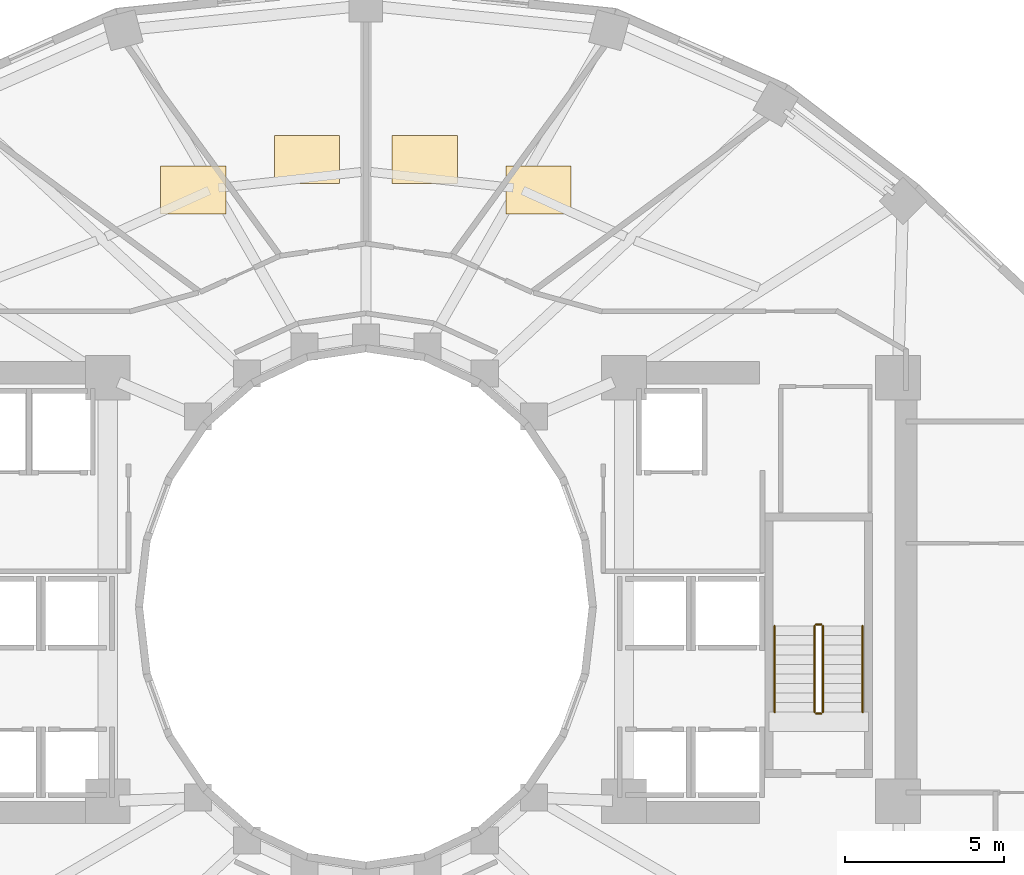
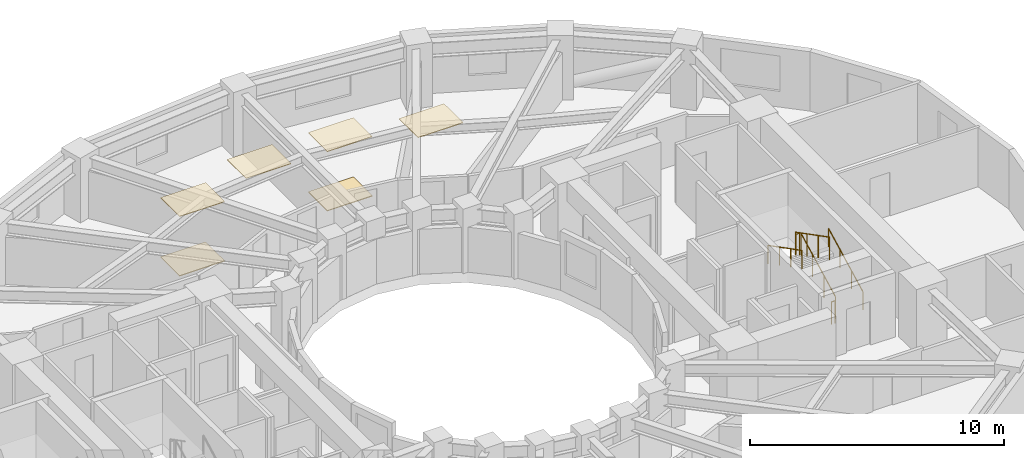
# One storey, part 9 of 9: 6 coverings, 6 railings.
"""IFC4 building model written with IfcOpenShell, lengths in metres."""

from ifc_helpers import new_model, si_unit, direction, frame, origin, origin_2d, place, context, subcontext, project, spatial, polyline, circle, outline, extrude, material, layer, layer_set, type_object, element, save


model = new_model("IFC4")

# Units and contexts
model_context = context("Model", 3, precision=1e-05, world=origin(), true_north=direction((0.0, 1.0)))
body_context = subcontext(model_context, "Body", "Model", "MODEL_VIEW")
ifc_project = project(units=[si_unit("LENGTHUNIT", "METRE"), si_unit("AREAUNIT", "SQUARE_METRE"), si_unit("VOLUMEUNIT", "CUBIC_METRE"), si_unit("PLANEANGLEUNIT", "RADIAN"), si_unit("MASSUNIT", "GRAM", prefix="KILO")], contexts=[model_context])

# Site, building, storey
site_placement = place(None, origin())
site = spatial("IfcSite", under=ifc_project, at=site_placement, CompositionType="ELEMENT")
building_placement = place(site_placement, origin())
building = spatial("IfcBuilding", under=site, at=building_placement, Name="Solvane Sanctuary Tower", CompositionType="ELEMENT")
storey_placement = place(building_placement, frame((0.0, 0.0, 104.199951171875)))
storey = spatial("IfcBuildingStorey", under=building, at=storey_placement, Name="L31", CompositionType="ELEMENT", Elevation=104.199951171875)

# Coverings
ifc_material_1 = material(Name="Acoustic Gypsum Partition Board")
ifc_layer_1 = layer(ifc_material_1, 0.02490234375, Name="Acoustic Gypsum Partition Board")
ifc_layer_set_1 = layer_set([ifc_layer_1], Name="Acoustic Gypsum Partition Board")
covering_type_1 = type_object("IfcCoveringType", Name="Covering CLG-ACOUST", PredefinedType="CEILING", material=ifc_layer_set_1)
covering_1_placement = place(storey_placement, frame((0.0, 0.0, 2.85009765625)))
element("IfcCovering", 1, at=covering_1_placement, inside=storey, type_object=covering_type_1, Name="L31 Unit Acoustic Ceiling Panel 1", PredefinedType="CEILING", context=body_context, shape_type="SweptSolid", body=[
    extrude(outline(polyline([(36.39404296875, 35.33203125), (38.444091796875, 35.33203125), (38.444091796875, 36.83203125), (36.39404296875, 36.83203125), (36.39404296875, 35.33203125)])), origin(), (0.0, 0.0, 1.0), 0.030029296875),
])
covering_2_placement = place(storey_placement, frame((0.0, 0.0, 2.85009765625)))
element("IfcCovering", 2, at=covering_2_placement, inside=storey, type_object=covering_type_1, Name="L31 Unit Acoustic Ceiling Panel 2", PredefinedType="CEILING", context=body_context, shape_type="SweptSolid", body=[
    extrude(outline(polyline([(32.822998046875, 36.2890625), (34.873046875, 36.2890625), (34.873046875, 37.7890625), (32.822998046875, 37.7890625), (32.822998046875, 36.2890625)])), origin(), (0.0, 0.0, 1.0), 0.030029296875),
])
covering_3_placement = place(storey_placement, frame((0.0, 0.0, 2.85009765625)))
element("IfcCovering", 3, at=covering_3_placement, inside=storey, type_object=covering_type_1, Name="L31 Unit Acoustic Ceiling Panel 3", PredefinedType="CEILING", context=body_context, shape_type="SweptSolid", body=[
    extrude(outline(polyline([(29.126953125, 36.2890625), (31.177001953125, 36.2890625), (31.177001953125, 37.7890625), (29.126953125, 37.7890625), (29.126953125, 36.2890625)])), origin(), (0.0, 0.0, 1.0), 0.030029296875),
])
covering_4_placement = place(storey_placement, frame((0.0, 0.0, 2.85009765625)))
element("IfcCovering", 4, at=covering_4_placement, inside=storey, type_object=covering_type_1, Name="L31 Unit Acoustic Ceiling Panel 4", PredefinedType="CEILING", context=body_context, shape_type="SweptSolid", body=[
    extrude(outline(polyline([(25.555908203125, 35.33203125), (27.60595703125, 35.33203125), (27.60595703125, 36.83203125), (25.555908203125, 36.83203125), (25.555908203125, 35.33203125)])), origin(), (0.0, 0.0, 1.0), 0.030029296875),
])
ifc_material_2 = material(Name="Ceramic Tile Finish")
ifc_layer_2 = layer(ifc_material_2, 0.030029296875, Name="Ceramic Tile Finish")
ifc_layer_set_2 = layer_set([ifc_layer_2], Name="Ceramic Tile Finish")
covering_type_2 = type_object("IfcCoveringType", Name="Covering FLR-TERRAZZO", PredefinedType="FLOORING", material=ifc_layer_set_2)
covering_5_placement = place(storey_placement, origin())
element("IfcCovering", 5, at=covering_5_placement, inside=storey, type_object=covering_type_2, Name="L31 Unit Terrazzo Inlay 2", PredefinedType="FLOORING", context=body_context, shape_type="SweptSolid", body=[
    extrude(outline(polyline([(32.822998046875, 36.2890625), (34.873046875, 36.2890625), (34.873046875, 37.7890625), (32.822998046875, 37.7890625), (32.822998046875, 36.2890625)])), origin(), (0.0, 0.0, 1.0), 0.03515625),
])
covering_6_placement = place(storey_placement, origin())
element("IfcCovering", 6, at=covering_6_placement, inside=storey, type_object=covering_type_2, Name="L31 Unit Terrazzo Inlay 4", PredefinedType="FLOORING", context=body_context, shape_type="SweptSolid", body=[
    extrude(outline(polyline([(25.555908203125, 35.33203125), (27.60595703125, 35.33203125), (27.60595703125, 36.83203125), (25.555908203125, 36.83203125), (25.555908203125, 35.33203125)])), origin(), (0.0, 0.0, 1.0), 0.03515625),
])

# Railings
ifc_material_3 = material(Name="Architectural Stainless Steel 316", Category="steel")
railing_type_1 = type_object("IfcRailingType", Name="Railing GR-BALC-1150", PredefinedType="BALUSTRADE", material=ifc_material_3)
railing_1_placement = place(storey_placement, frame((46.340087890625, 19.699951171875, 0.155029296875)))
element("IfcRailing", 7, at=railing_1_placement, inside=storey, type_object=railing_type_1, Name="L31 ST-2 stair guard 1", PredefinedType="BALUSTRADE", context=body_context, shape_type="SweptSolid", body=[
    extrude(circle(Radius=0.02392578125, at=origin_2d()), frame((0.0, 0.0, 1.076171875), z_axis=(0.0, 0.888419900624, 0.459031676658), x_axis=(-1.0, 0.0, 0.0)), (0.0, 0.0, 1.0), 3.0390625),
    extrude(circle(Radius=0.02099609375, at=origin_2d()), origin(), (0.0, 0.0, 1.0), 1.052001953125),
    extrude(circle(Radius=0.02099609375, at=origin_2d()), frame((0.0, 0.89990234375, 0.465087890625)), (0.0, 0.0, 1.0), 1.052001953125),
    extrude(circle(Radius=0.02099609375, at=origin_2d()), frame((0.0, 1.800048828125, 0.929931640625)), (0.0, 0.0, 1.0), 1.052001953125),
    extrude(circle(Radius=0.02099609375, at=origin_2d()), frame((0.0, 2.699951171875, 1.39501953125)), (0.0, 0.0, 1.0), 1.052001953125),
])
railing_2_placement = place(storey_placement, frame((46.2900390625, 22.449951171875, 1.550048828125)))
element("IfcRailing", 8, at=railing_2_placement, inside=storey, type_object=railing_type_1, Name="L31 ST-2 stair guard 2", PredefinedType="BALUSTRADE", context=body_context, shape_type="SweptSolid", body=[
    extrude(circle(Radius=0.02392578125, at=origin_2d()), frame((0.0, 0.0, 1.076171875), z_axis=(-1.0, 0.0, 0.0), x_axis=(0.0, -1.0, 0.0)), (0.0, 0.0, 1.0), 0.16015625),
    extrude(circle(Radius=0.02099609375, at=origin_2d()), origin(), (0.0, 0.0, 1.0), 1.052001953125),
    extrude(circle(Radius=0.02099609375, at=origin_2d()), frame((-0.16015625, 0.0, 0.0)), (0.0, 0.0, 1.0), 1.052001953125),
])
railing_3_placement = place(storey_placement, frame((46.080078125, 22.39990234375, 1.705078125)))
element("IfcRailing", 9, at=railing_3_placement, inside=storey, type_object=railing_type_1, Name="L31 ST-2 stair guard 3", PredefinedType="BALUSTRADE", context=body_context, shape_type="SweptSolid", body=[
    extrude(circle(Radius=0.02392578125, at=origin_2d()), frame((0.0, 0.0, 1.076171875), z_axis=(0.0, -0.888419900624, 0.459031676658), x_axis=(1.0, 0.0, 0.0)), (0.0, 0.0, 1.0), 3.0390625),
    extrude(circle(Radius=0.02099609375, at=origin_2d()), origin(), (0.0, 0.0, 1.0), 1.052001953125),
    extrude(circle(Radius=0.02099609375, at=origin_2d()), frame((0.0, -0.89990234375, 0.465087890625)), (0.0, 0.0, 1.0), 1.052001953125),
    extrude(circle(Radius=0.02099609375, at=origin_2d()), frame((0.0, -1.800048828125, 0.929931640625)), (0.0, 0.0, 1.0), 1.052001953125),
    extrude(circle(Radius=0.02099609375, at=origin_2d()), frame((0.0, -2.699951171875, 1.39501953125)), (0.0, 0.0, 1.0), 1.052001953125),
])
railing_4_placement = place(storey_placement, frame((46.2900390625, 19.64990234375, 0.0)))
element("IfcRailing", 10, at=railing_4_placement, inside=storey, type_object=railing_type_1, Name="L31 ST-2 stair guard 4", PredefinedType="BALUSTRADE", context=body_context, shape_type="SweptSolid", body=[
    extrude(circle(Radius=0.02392578125, at=origin_2d()), frame((0.0, 0.0, 1.076171875), z_axis=(-1.0, 0.0, 0.0), x_axis=(0.0, -1.0, 0.0)), (0.0, 0.0, 1.0), 0.16015625),
    extrude(circle(Radius=0.02099609375, at=origin_2d()), origin(), (0.0, 0.0, 1.0), 1.052001953125),
    extrude(circle(Radius=0.02099609375, at=origin_2d()), frame((-0.16015625, 0.0, 0.0)), (0.0, 0.0, 1.0), 1.052001953125),
])
railing_type_2 = type_object("IfcRailingType", Name="Railing HR-STAIR-920", PredefinedType="HANDRAIL", material=ifc_material_3)
railing_5_placement = place(storey_placement, frame((47.590087890625, 19.699951171875, 0.155029296875)))
element("IfcRailing", 11, at=railing_5_placement, inside=storey, type_object=railing_type_2, Name="L31 ST-2 stair handrail 1", PredefinedType="HANDRAIL", context=body_context, shape_type="SweptSolid", body=[
    extrude(circle(Radius=0.02392578125, at=origin_2d()), frame((0.0, 0.0, 0.8759765625), z_axis=(0.0, 0.888419900624, 0.459031676658), x_axis=(-1.0, 0.0, 0.0)), (0.0, 0.0, 1.0), 3.0390625),
    extrude(circle(Radius=0.02099609375, at=origin_2d()), origin(), (0.0, 0.0, 1.0), 0.851806640625),
    extrude(circle(Radius=0.02099609375, at=origin_2d()), frame((0.0, 0.89990234375, 0.465087890625)), (0.0, 0.0, 1.0), 0.851806640625),
    extrude(circle(Radius=0.02099609375, at=origin_2d()), frame((0.0, 1.800048828125, 0.929931640625)), (0.0, 0.0, 1.0), 0.851806640625),
    extrude(circle(Radius=0.02099609375, at=origin_2d()), frame((0.0, 2.699951171875, 1.39501953125)), (0.0, 0.0, 1.0), 0.851806640625),
])
railing_6_placement = place(storey_placement, frame((44.830078125, 22.39990234375, 1.705078125)))
element("IfcRailing", 12, at=railing_6_placement, inside=storey, type_object=railing_type_2, Name="L31 ST-2 stair handrail 2", PredefinedType="HANDRAIL", context=body_context, shape_type="SweptSolid", body=[
    extrude(circle(Radius=0.02392578125, at=origin_2d()), frame((0.0, 0.0, 0.8759765625), z_axis=(0.0, -0.888419900624, 0.459031676658), x_axis=(1.0, 0.0, 0.0)), (0.0, 0.0, 1.0), 3.0390625),
    extrude(circle(Radius=0.02099609375, at=origin_2d()), origin(), (0.0, 0.0, 1.0), 0.851806640625),
    extrude(circle(Radius=0.02099609375, at=origin_2d()), frame((0.0, -0.89990234375, 0.465087890625)), (0.0, 0.0, 1.0), 0.851806640625),
    extrude(circle(Radius=0.02099609375, at=origin_2d()), frame((0.0, -1.800048828125, 0.929931640625)), (0.0, 0.0, 1.0), 0.851806640625),
    extrude(circle(Radius=0.02099609375, at=origin_2d()), frame((0.0, -2.699951171875, 1.39501953125)), (0.0, 0.0, 1.0), 0.851806640625),
])

save(model, "model.ifc")
